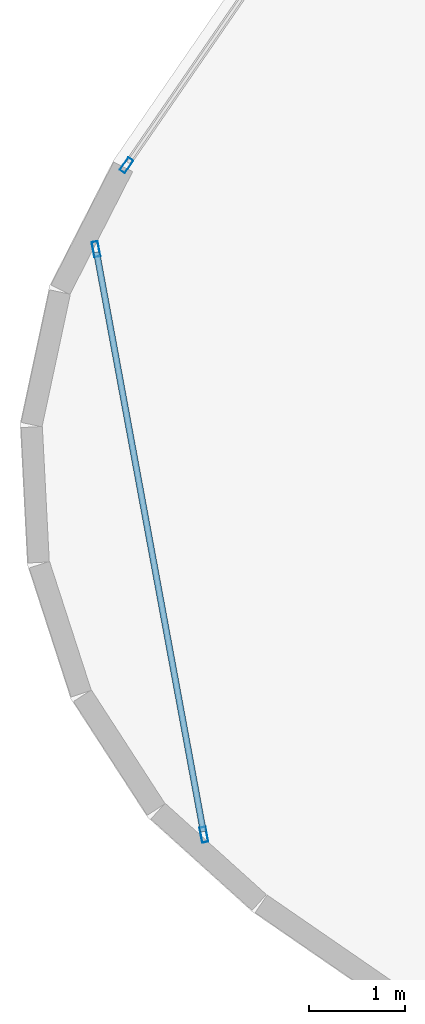
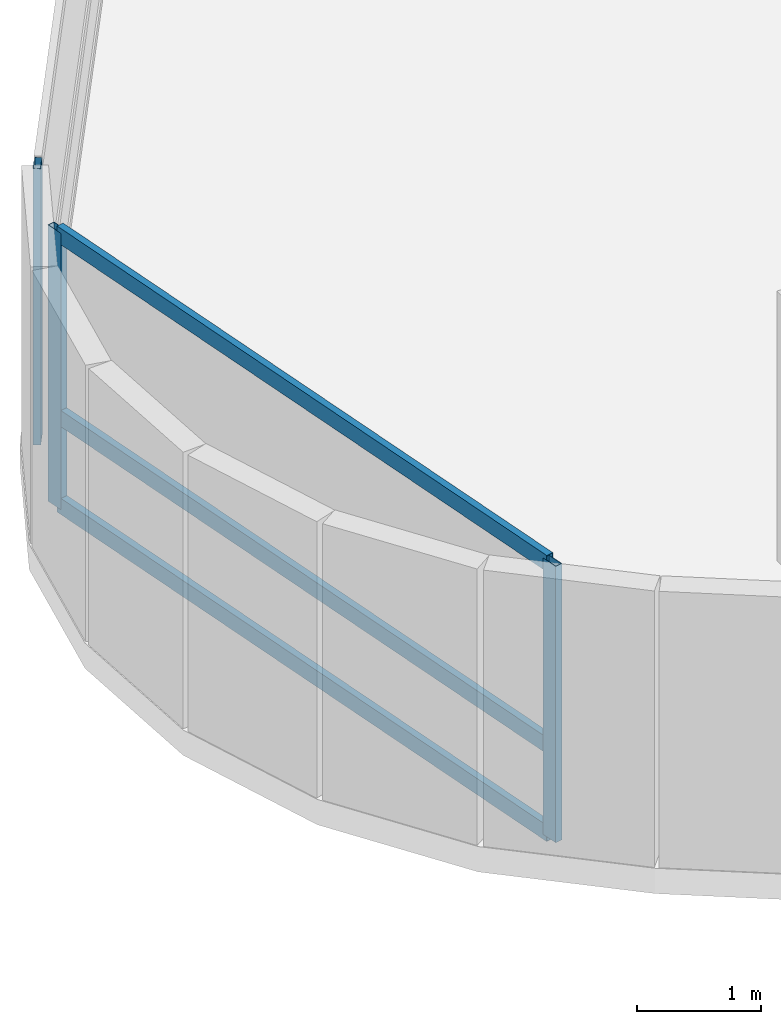
# One storey, part 4 of 27: 6 members, 2 elements without a shape of their own.
"""IFC4 building model written with IfcOpenShell, lengths in metres."""

from ifc_helpers import new_model, si_unit, direction, frame, origin, origin_2d, place, context, subcontext, project, spatial, hollow_rectangle, extrude, material, layer, layer_set, material_profile, profile_set, type_object, element, aggregate, save


model = new_model("IFC4")

# Units and contexts
model_context = context("Model", 3, precision=1e-05, world=origin(), true_north=direction((0.0, 1.0)))
body_context = subcontext(model_context, "Body", "Model", "MODEL_VIEW")
ifc_project = project(units=[si_unit("LENGTHUNIT", "METRE"), si_unit("AREAUNIT", "SQUARE_METRE"), si_unit("VOLUMEUNIT", "CUBIC_METRE"), si_unit("PLANEANGLEUNIT", "RADIAN"), si_unit("MASSUNIT", "GRAM", prefix="KILO")], contexts=[model_context])

# Site, building, storey
site_placement = place(None, origin())
site = spatial("IfcSite", under=ifc_project, at=site_placement, CompositionType="ELEMENT")
building_placement = place(site_placement, origin())
building = spatial("IfcBuilding", under=site, at=building_placement, Name="Varnelok Gate Tower", CompositionType="ELEMENT")
storey_placement = place(building_placement, frame((0.0, 0.0, 60.300048828125)))
storey = spatial("IfcBuildingStorey", under=building, at=storey_placement, Name="L14", CompositionType="ELEMENT", Elevation=60.300048828125)

# Curtain wall, member
ifc_material = material(Name="Anodized Aluminum Alloy 6063-T6", Category="aluminium")
ifc_layer_1 = layer(ifc_material, 0.179931640625)
ifc_layer_set_1 = layer_set([ifc_layer_1], Name="Anodized Aluminum Alloy 6063-T6")
curtain_wall_type_1 = type_object("IfcCurtainWallType", Name="CW3-HOTEL-VISION", PredefinedType="USERDEFINED", material=ifc_layer_set_1)
curtain_wall_1_placement = place(storey_placement, origin())
curtain_wall_1 = element("IfcCurtainWall", 1, at=curtain_wall_1_placement, inside=storey, type_object=curtain_wall_type_1, Name="L14 West End Vision Curtain Wall", ObjectType="UNITISED CURTAIN WALL", PredefinedType="USERDEFINED")
ifc_material_profile_1 = material_profile(ifc_material, hollow_rectangle(XDim=0.06494140625, YDim=0.159912109375, WallThickness=0.00390625, at=origin_2d()), Name="ALU160X65X4")
ifc_profile_set_1 = profile_set([ifc_material_profile_1], Name="Anodized Aluminum Alloy 6063-T6")
member_type_1 = type_object("IfcMemberType", Name="CW-MULL-160", PredefinedType="MULLION", material=ifc_profile_set_1)
member_1_placement = place(storey_placement, frame((-4.1240234375, 31.2607421875, 0.0), z_axis=(0.0, 0.0, 1.0), x_axis=(-0.823532685111, 0.567268822124, 0.0)))
member_1 = element("IfcMember", 2, at=member_1_placement, type_object=member_type_1, Name="CW3 mullion 1", PredefinedType="MULLION", context=body_context, shape_type="SweptSolid", body=[
    extrude(hollow_rectangle(XDim=0.06494140625, YDim=0.159912109375, WallThickness=0.00390625, at=origin_2d()), origin(), (0.0, 0.0, 1.0), 2.72998046875),
])
aggregate(curtain_wall_1, [member_1])

# Curtain wall, members
ifc_layer_2 = layer(ifc_material, 0.179931640625)
ifc_layer_set_2 = layer_set([ifc_layer_2], Name="Anodized Aluminum Alloy 6063-T6")
curtain_wall_type_2 = type_object("IfcCurtainWallType", Name="CW5-WINDCORNER-GLAZ", PredefinedType="USERDEFINED", material=ifc_layer_set_2)
curtain_wall_2_placement = place(storey_placement, origin())
curtain_wall_2 = element("IfcCurtainWall", 3, at=curtain_wall_2_placement, inside=storey, type_object=curtain_wall_type_2, Name="L14 Wind-Shaped Corner Curtain Wall SW", ObjectType="STRUCTURAL GLAZING", PredefinedType="USERDEFINED")
member_2_placement = place(storey_placement, frame((-4.43994140625, 30.39111328125, 0.0), z_axis=(0.0, 0.0, 1.0), x_axis=(0.983445670001, 0.181203239917, 0.0)))
member_2 = element("IfcMember", 4, at=member_2_placement, type_object=member_type_1, Name="CW5 mullion 1", PredefinedType="MULLION", context=body_context, shape_type="SweptSolid", body=[
    extrude(hollow_rectangle(XDim=0.06494140625, YDim=0.159912109375, WallThickness=0.00390625, at=origin_2d()), origin(), (0.0, 0.0, 1.0), 2.72998046875),
])
member_3_placement = place(storey_placement, frame((-3.32177734375, 24.321533203125, 0.0), z_axis=(0.0, 0.0, 1.0), x_axis=(0.983445670001, 0.181203239917, 0.0)))
member_3 = element("IfcMember", 5, at=member_3_placement, type_object=member_type_1, Name="CW5 mullion 2", PredefinedType="MULLION", context=body_context, shape_type="SweptSolid", body=[
    extrude(hollow_rectangle(XDim=0.06494140625, YDim=0.159912109375, WallThickness=0.00390625, at=origin_2d()), origin(), (0.0, 0.0, 1.0), 2.72998046875),
])
ifc_material_profile_2 = material_profile(ifc_material, hollow_rectangle(XDim=0.06494140625, YDim=0.159912109375, WallThickness=0.00390625, at=origin_2d()), Name="ALU160X65X4")
ifc_profile_set_2 = profile_set([ifc_material_profile_2], Name="Anodized Aluminum Alloy 6063-T6")
member_type_2 = type_object("IfcMemberType", Name="CW-TRAN-160", PredefinedType="USERDEFINED", material=ifc_profile_set_2)
member_4_placement = place(storey_placement, frame((-4.43408203125, 30.359130859375, 0.032470703125), z_axis=(0.181185833203, -0.983448877088, 0.0), x_axis=(0.983448877088, 0.181185833203, 0.0)))
member_4 = element("IfcMember", 6, at=member_4_placement, type_object=member_type_2, Name="CW5 transom 1.1", ObjectType="TRANSOM", PredefinedType="USERDEFINED", context=body_context, shape_type="SweptSolid", body=[
    extrude(hollow_rectangle(XDim=0.06494140625, YDim=0.159912109375, WallThickness=0.00390625, at=origin_2d()), origin(), (0.0, 0.0, 1.0), 6.106689453125),
])
member_5_placement = place(storey_placement, frame((-4.43408203125, 30.359130859375, 0.89990234375), z_axis=(0.181185833203, -0.983448877088, 0.0), x_axis=(0.983448877088, 0.181185833203, 0.0)))
member_5 = element("IfcMember", 7, at=member_5_placement, type_object=member_type_2, Name="CW5 transom 1.2", ObjectType="TRANSOM", PredefinedType="USERDEFINED", context=body_context, shape_type="SweptSolid", body=[
    extrude(hollow_rectangle(XDim=0.06494140625, YDim=0.159912109375, WallThickness=0.00390625, at=origin_2d()), origin(), (0.0, 0.0, 1.0), 6.106689453125),
])
member_6_placement = place(storey_placement, frame((-4.43408203125, 30.359130859375, 2.697509765625), z_axis=(0.181185833203, -0.983448877088, 0.0), x_axis=(0.983448877088, 0.181185833203, 0.0)))
member_6 = element("IfcMember", 8, at=member_6_placement, type_object=member_type_2, Name="CW5 transom 1.3", ObjectType="TRANSOM", PredefinedType="USERDEFINED", context=body_context, shape_type="SweptSolid", body=[
    extrude(hollow_rectangle(XDim=0.06494140625, YDim=0.159912109375, WallThickness=0.00390625, at=origin_2d()), origin(), (0.0, 0.0, 1.0), 6.106689453125),
])
aggregate(curtain_wall_2, [member_2, member_3, member_4, member_5, member_6])

save(model, "model.ifc")
